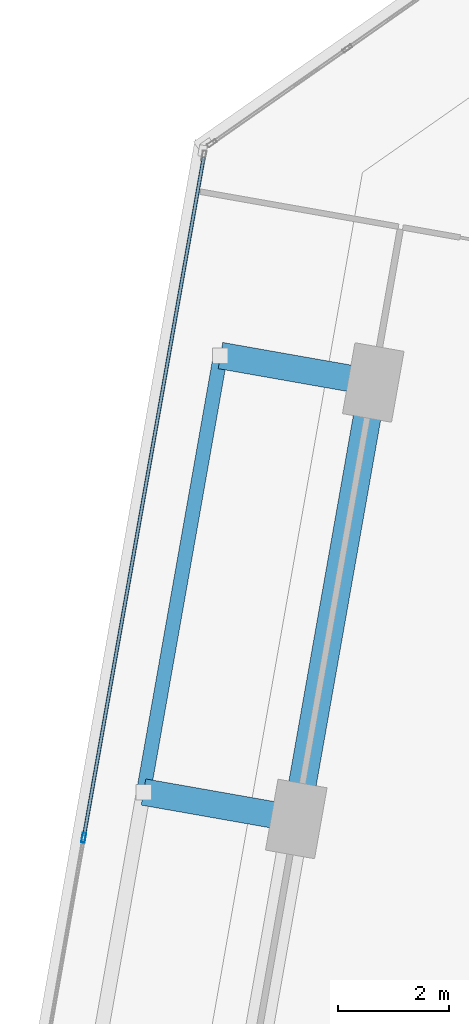
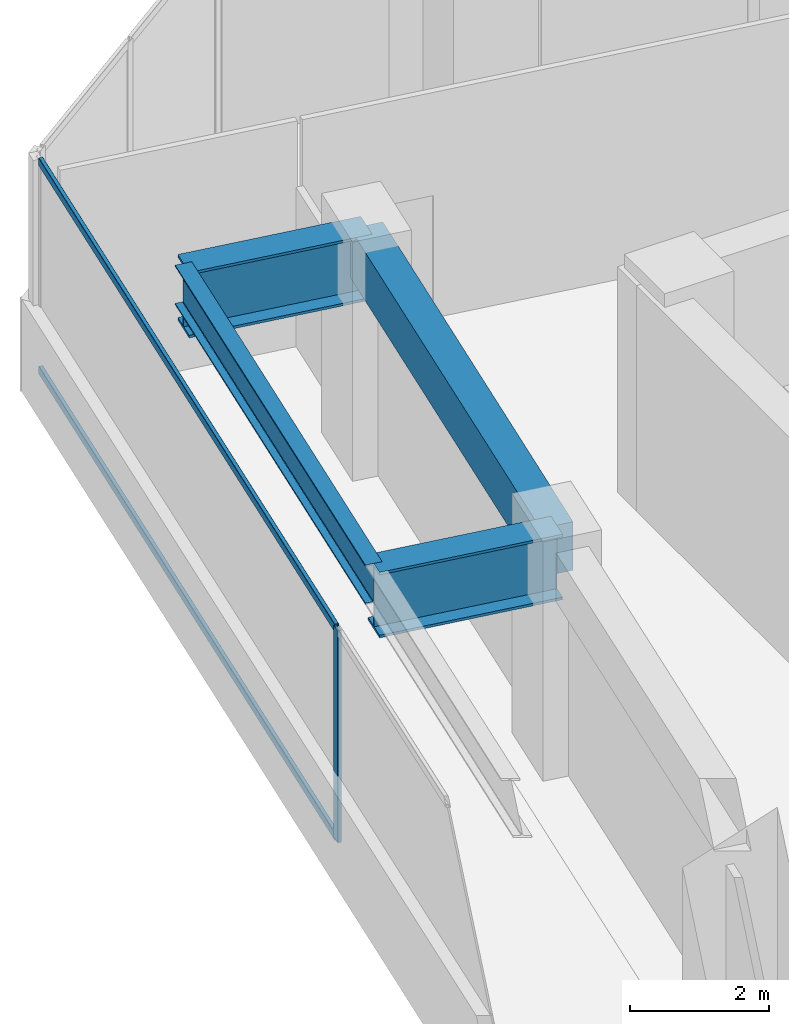
# One storey, part 6 of 24: 4 beams, 3 members, 1 element without a shape of its own.
"""IFC4 building model written with IfcOpenShell, lengths in metres."""

from ifc_helpers import new_model, si_unit, direction, frame, origin, origin_2d, place, context, subcontext, project, spatial, rectangle, hollow_rectangle, i_section, extrude, source, transform, mapped, material, material_profile, profile_set, type_object, element, aggregate, save


model = new_model("IFC4")

# Units and contexts
model_context = context("Model", 3, precision=1e-05, world=origin(), true_north=direction((0.0, 1.0)))
body_context = subcontext(model_context, "Body", "Model", "MODEL_VIEW")
ifc_project = project(units=[si_unit("LENGTHUNIT", "METRE"), si_unit("AREAUNIT", "SQUARE_METRE"), si_unit("VOLUMEUNIT", "CUBIC_METRE"), si_unit("PLANEANGLEUNIT", "RADIAN"), si_unit("MASSUNIT", "GRAM", prefix="KILO")], contexts=[model_context])

# Site, building, storey
site_placement = place(None, origin())
site = spatial("IfcSite", under=ifc_project, at=site_placement, CompositionType="ELEMENT")
building_placement = place(site_placement, origin())
building = spatial("IfcBuilding", under=site, at=building_placement, Name="Torre Montelarca", CompositionType="ELEMENT")
storey_placement = place(building_placement, frame((0.0, 0.0, 74.800048828125)))
storey = spatial("IfcBuildingStorey", under=building, at=storey_placement, Name="L16", CompositionType="ELEMENT", Elevation=74.800048828125)

# Beams
ifc_material_1 = material(Name="Concrete C55/67", Category="concrete")
ifc_material_profile_1 = material_profile(ifc_material_1, rectangle(XDim=0.5, YDim=0.85009765625, at=origin_2d()), Name="RCB500X850", Category="concrete")
ifc_profile_set_1 = profile_set([ifc_material_profile_1], Name="Concrete C55/67")
beam_type_1 = type_object("IfcBeamType", Name="BM-SP-RC850-EXT", PredefinedType="SPANDREL", material=ifc_profile_set_1)
shared_shape_1 = source(origin(), body_context, "Body", "SweptSolid", [
    extrude(rectangle(XDim=0.5, YDim=0.85009765625, at=origin_2d()), origin(), (0.0, 0.0, 1.0), 8.0),
])
beam_1_placement = place(storey_placement, frame((4.906005859375, 34.926025390625, 3.534912109375), z_axis=(0.173646056486, 0.984808127031, 0.0), x_axis=(-0.984808127031, 0.173646056486, 0.0)))
element("IfcBeam", 1, at=beam_1_placement, inside=storey, type_object=beam_type_1, Name="L16 Grid Girder Y 32.0-40.0 at X=4.7", PredefinedType="SPANDREL", context=body_context, shape_type="MappedRepresentation", body=[
    mapped(shared_shape_1, transform((0.0, 0.0, 0.0), scale=1.0)),
])
ifc_material_2 = material(Name="Steel ASTM A992 Grade 50", Category="steel")
ifc_material_profile_2 = material_profile(ifc_material_2, i_section(OverallWidth=0.256103515625, OverallDepth=0.693115234375, WebThickness=0.014404296875, FlangeThickness=0.023681640625, FilletRadius=0.01806640625, at=origin_2d()), Name="W690X170", Category="steel")
ifc_profile_set_2 = profile_set([ifc_material_profile_2], Name="Steel ASTM A992 Grade 50")
beam_type_2 = type_object("IfcBeamType", Name="BM-G-W690-EXT", PredefinedType="BEAM", material=ifc_profile_set_2)
shared_shape_2 = source(origin(), body_context, "Body", "SweptSolid", [
    extrude(i_section(OverallWidth=0.256103515625, OverallDepth=0.693115234375, WebThickness=0.014404296875, FlangeThickness=0.023681640625, FilletRadius=0.01806640625, at=origin_2d()), origin(), (0.0, 0.0, 1.0), 8.0),
])
beam_2_placement = place(storey_placement, frame((2.1484375, 35.412109375, 3.614013671875), z_axis=(0.173646056486, 0.984808127031, 0.0), x_axis=(-0.984808127031, 0.173646056486, 0.0)))
element("IfcBeam", 2, at=beam_2_placement, inside=storey, type_object=beam_type_2, Name="L16 Sliding Tray Edge Girder West 32.0-40.0m (FLR)", PredefinedType="BEAM", context=body_context, shape_type="MappedRepresentation", body=[
    mapped(shared_shape_2, transform((0.0, 0.0, 0.0), scale=1.0)),
])
ifc_material_3 = material(Name="Steel ASTM A572 Grade 50", Category="steel")
ifc_material_profile_3 = material_profile(ifc_material_3, i_section(OverallWidth=0.47998046875, OverallDepth=1.14990234375, WebThickness=0.02197265625, FlangeThickness=0.044921875, at=origin_2d()), Name="PG1150X480X22X45", Category="steel")
ifc_profile_set_3 = profile_set([ifc_material_profile_3], Name="Steel ASTM A572 Grade 50")
beam_type_3 = type_object("IfcBeamType", Name="BM-CG-PG1400-EXT", PredefinedType="USERDEFINED", material=ifc_profile_set_3)
shared_shape_3 = source(origin(), body_context, "Body", "SweptSolid", [
    extrude(i_section(OverallWidth=0.47998046875, OverallDepth=1.14990234375, WebThickness=0.02197265625, FlangeThickness=0.044921875, at=origin_2d()), origin(), (0.0, 0.0, 1.0), 2.800048828125),
])
for number, where, z_axis, x_axis, name in (
    (3, (4.906005859375, 34.926025390625, 3.385009765625), (-0.984816895441, 0.173596320392, 0.0), (-0.173596320392, -0.984816895441, 0.0), "L16 Sliding Tray Cantilever Girder West Y=32.0m (FLR)"),
    (4, (6.295166015625, 42.804443359375, 3.385009765625), (-0.984816895441, 0.173596320392, 0.0), (-0.173596320392, -0.984816895441, 0.0), "L16 Sliding Tray Cantilever Girder West Y=40.0m (FLR)"),
):
    element("IfcBeam", number, at=place(storey_placement, frame(where, z_axis=z_axis, x_axis=x_axis)), inside=storey, type_object=beam_type_3, Name=name, ObjectType="CANTILEVER GIRDER", PredefinedType="USERDEFINED", context=body_context, shape_type="MappedRepresentation", body=[
        mapped(shared_shape_3, transform((0.0, 0.0, 0.0), scale=1.0)),
    ])

# Curtain wall, members
ifc_material_4 = material(Name="Insulated low-E laminated glass", Category="glass")
curtain_wall_type = type_object("IfcCurtainWallType", Name="CW-SYS-Z1", PredefinedType="USERDEFINED", material=ifc_material_4)
curtain_wall_placement = place(storey_placement, origin())
curtain_wall = element("IfcCurtainWall", 5, at=curtain_wall_placement, inside=storey, type_object=curtain_wall_type, Name="L16 Curtain Wall Run CW-T3-L16-E10-B1", ObjectType="UNITISED GLAZING", PredefinedType="USERDEFINED")
ifc_material_5 = material(Name="Anodised aluminium AA 6063-T6", Category="aluminium")
ifc_material_profile_4 = material_profile(ifc_material_5, hollow_rectangle(XDim=0.06494140625, YDim=0.139892578125, WallThickness=0.00390625, InnerFilletRadius=0.00390625, OuterFilletRadius=0.008056640625, at=origin_2d()), Name="ALU65X140X4", Category="aluminium")
ifc_profile_set_4 = profile_set([ifc_material_profile_4], Name="Anodised aluminium AA 6063-T6")
member_type_1 = type_object("IfcMemberType", Name="CWT-ALU140", PredefinedType="USERDEFINED", material=ifc_profile_set_4)
shared_shape_4 = source(origin(), body_context, "Body", "SweptSolid", [
    extrude(hollow_rectangle(XDim=0.06494140625, YDim=0.139892578125, WallThickness=0.00390625, InnerFilletRadius=0.00390625, OuterFilletRadius=0.008056640625, at=origin_2d()), origin(), (0.0, 0.0, 1.0), 12.436767578125),
])
member_1_placement = place(storey_placement, frame((3.234130859375, 46.866943359375, 0.032470703125), z_axis=(-0.173652068379, -0.984807066967, 0.0), x_axis=(0.984807066967, -0.173652068379, 0.0)))
member_1 = element("IfcMember", 6, at=member_1_placement, type_object=member_type_1, Name="CW transom 1.1", ObjectType="TRANSOM", PredefinedType="USERDEFINED", context=body_context, shape_type="MappedRepresentation", body=[
    mapped(shared_shape_4, transform((0.0, 0.0, 0.0), scale=1.0)),
])
member_2_placement = place(storey_placement, frame((3.234130859375, 46.866943359375, 3.6875), z_axis=(-0.173652068379, -0.984807066967, 0.0), x_axis=(0.984807066967, -0.173652068379, 0.0)))
member_2 = element("IfcMember", 7, at=member_2_placement, type_object=member_type_1, Name="CW transom 1.2", ObjectType="TRANSOM", PredefinedType="USERDEFINED", context=body_context, shape_type="MappedRepresentation", body=[
    mapped(shared_shape_4, transform((0.0, 0.0, 0.0), scale=1.0)),
])
ifc_material_profile_5 = material_profile(ifc_material_5, hollow_rectangle(XDim=0.06494140625, YDim=0.179931640625, WallThickness=0.00390625, InnerFilletRadius=0.00390625, OuterFilletRadius=0.008056640625, at=origin_2d()), Name="ALU65X180X4", Category="aluminium")
ifc_profile_set_5 = profile_set([ifc_material_profile_5], Name="Anodised aluminium AA 6063-T6")
member_type_2 = type_object("IfcMemberType", Name="CWM-ALU180", PredefinedType="MULLION", material=ifc_profile_set_5)
shared_shape_5 = source(origin(), body_context, "Body", "SweptSolid", [
    extrude(hollow_rectangle(XDim=0.06494140625, YDim=0.179931640625, WallThickness=0.00390625, InnerFilletRadius=0.00390625, OuterFilletRadius=0.008056640625, at=origin_2d()), origin(), (0.0, 0.0, 1.0), 3.719970703125),
])
member_3_placement = place(storey_placement, frame((1.06884765625, 34.587158203125, 0.0), z_axis=(0.0, 0.0, 1.0), x_axis=(0.984808126187, -0.173646061274, 0.0)))
member_3 = element("IfcMember", 8, at=member_3_placement, type_object=member_type_2, Name="CW mullion 2", PredefinedType="MULLION", context=body_context, shape_type="MappedRepresentation", body=[
    mapped(shared_shape_5, transform((0.0, 0.0, 0.0), scale=1.0)),
])
aggregate(curtain_wall, [member_3, member_1, member_2])

save(model, "model.ifc")
